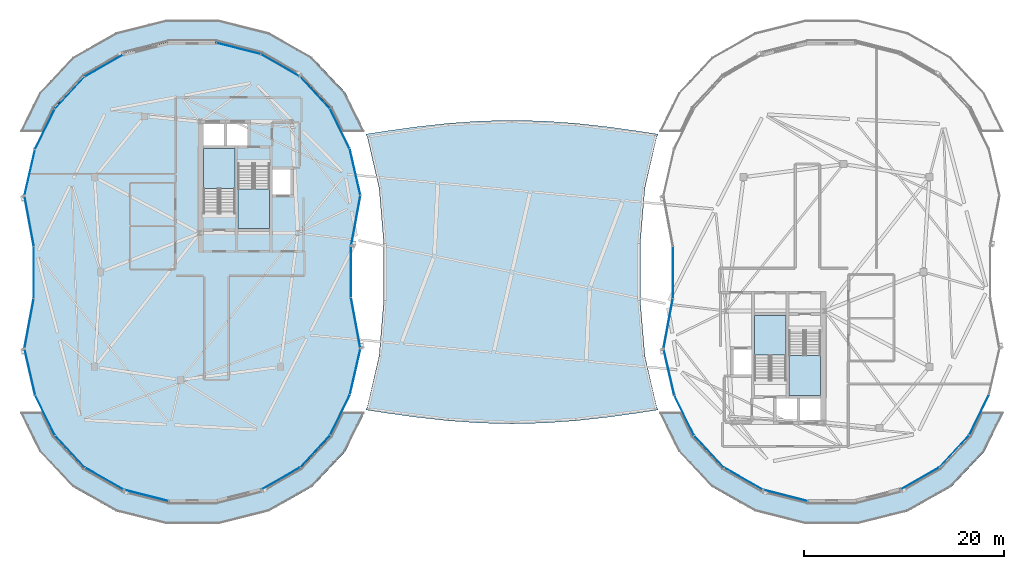
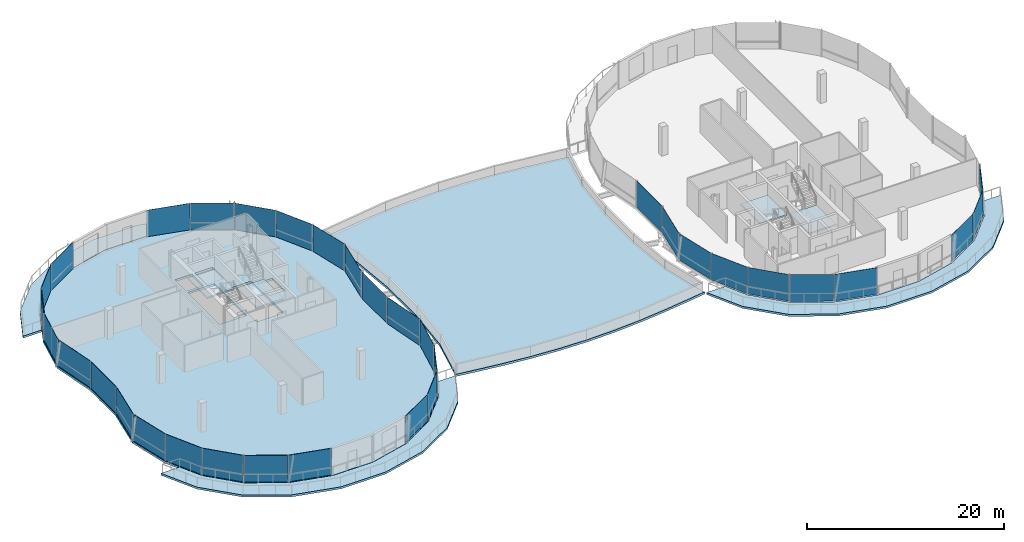
# One storey, part 18 of 31: 34 plates, 9 slabs, 11 elements without a shape of their own.
"""IFC4 building model written with IfcOpenShell, lengths in metres."""

from ifc_helpers import new_model, si_unit, direction, frame, origin, origin_2d, place, context, subcontext, project, spatial, polyline, rectangle, outline, extrude, material, layer, layer_set, type_object, element, aggregate, save


model = new_model("IFC4")

# Units and contexts
model_context = context("Model", 3, precision=1e-05, world=origin(), true_north=direction((0.0, 1.0)))
body_context = subcontext(model_context, "Body", "Model", "MODEL_VIEW")
ifc_project = project(units=[si_unit("LENGTHUNIT", "METRE"), si_unit("AREAUNIT", "SQUARE_METRE"), si_unit("VOLUMEUNIT", "CUBIC_METRE"), si_unit("PLANEANGLEUNIT", "RADIAN"), si_unit("MASSUNIT", "GRAM", prefix="KILO"), si_unit("THERMODYNAMICTEMPERATUREUNIT", "KELVIN"), si_unit("POWERUNIT", "WATT")], contexts=[model_context])

# Site, building, storey
site_placement = place(None, origin())
site = spatial("IfcSite", under=ifc_project, at=site_placement, CompositionType="ELEMENT")
building_placement = place(site_placement, origin())
building = spatial("IfcBuilding", under=site, at=building_placement, Name="Cundina Bronze Exchange", CompositionType="ELEMENT")
storey_placement = place(building_placement, frame((0.0, 0.0, 275.60009765625)))
storey = spatial("IfcBuildingStorey", under=building, at=storey_placement, Name="L73", CompositionType="ELEMENT", Elevation=275.60009765625)

# Curtain wall, plates
ifc_material_1 = material(Name="Anodised Bronze Aluminium 6063-T6", Category="aluminium")
curtain_wall_type = type_object("IfcCurtainWallType", Name="CWS-CRN-TMD", PredefinedType="NOTDEFINED", material=ifc_material_1)
curtain_wall_1_placement = place(storey_placement, origin())
curtain_wall_1 = element("IfcCurtainWall", 1, at=curtain_wall_1_placement, inside=storey, type_object=curtain_wall_type, Name="L73 CW-07 Curtain Wall Run CWR-L73-W1", PredefinedType="NOTDEFINED")
ifc_material_2 = material(Name="Clear Low-E Insulating Glass 26mm", Category="glass")
ifc_layer_1 = layer(ifc_material_2, 0.02587890625, Name="Clear Low-E Insulating Glass 26mm", Category="glass")
ifc_layer_set_1 = layer_set([ifc_layer_1], Name="Clear Low-E Insulating Glass 26mm")
plate_type_1 = type_object("IfcPlateType", Name="PLT-GLZ-CLR26", PredefinedType="CURTAIN_PANEL", material=ifc_layer_set_1)
plate_1_placement = place(storey_placement, frame((-15.643798828125, 5.148193359375, 0.02001953125), z_axis=(0.0, 0.0, 1.0), x_axis=(0.181566202941, 0.983378723559, 0.0)))
plate_1 = element("IfcPlate", 2, at=plate_1_placement, type_object=plate_type_1, Name="CW-07 Glazed Panel 1", PredefinedType="CURTAIN_PANEL", context=body_context, shape_type="SweptSolid", body=[
    extrude(rectangle(XDim=5.0595703125, YDim=0.02587890625, at=origin_2d()), origin(), (0.0, 0.0, 1.0), 3.300048828125),
])
plate_2_placement = place(storey_placement, frame((-17.2373046875, 14.330078125, 0.02001953125), z_axis=(0.0, 0.0, 1.0), x_axis=(-0.439406192137, 0.898288482789, 0.0)))
plate_2 = element("IfcPlate", 3, at=plate_2_placement, type_object=plate_type_1, Name="CW-07 Glazed Panel 3", PredefinedType="CURTAIN_PANEL", context=body_context, shape_type="SweptSolid", body=[
    extrude(rectangle(XDim=4.431884765625, YDim=0.02587890625, at=origin_2d()), origin(), (0.0, 0.0, 1.0), 3.300048828125),
])
plate_3_placement = place(storey_placement, frame((-19.72216796875, 17.956298828125, 0.02001953125), z_axis=(0.0, 0.0, 1.0), x_axis=(-0.681462066612, 0.731853435989, 0.0)))
plate_3 = element("IfcPlate", 4, at=plate_3_placement, type_object=plate_type_1, Name="CW-07 Glazed Panel 4", PredefinedType="CURTAIN_PANEL", context=body_context, shape_type="SweptSolid", body=[
    extrude(rectangle(XDim=4.335693359375, YDim=0.02587890625, at=origin_2d()), origin(), (0.0, 0.0, 1.0), 3.300048828125),
])
plate_4_placement = place(storey_placement, frame((-23.171875, 20.684326171875, 0.02001953125), z_axis=(0.0, 0.0, 1.0), x_axis=(-0.86745302415, 0.497519096008, 0.0)))
plate_4 = element("IfcPlate", 5, at=plate_4_placement, type_object=plate_type_1, Name="CW-07 Glazed Panel 5", PredefinedType="CURTAIN_PANEL", context=body_context, shape_type="SweptSolid", body=[
    extrude(rectangle(XDim=4.4404296875, YDim=0.02587890625, at=origin_2d()), origin(), (0.0, 0.0, 1.0), 3.300048828125),
])
plate_5_placement = place(storey_placement, frame((-27.381103515625, 22.379150390625, 0.02001953125), z_axis=(0.0, 0.0, 1.0), x_axis=(-0.969067441506, 0.246796057127, 0.0)))
plate_5 = element("IfcPlate", 6, at=plate_5_placement, type_object=plate_type_1, Name="CW-07 Glazed Panel 6", PredefinedType="CURTAIN_PANEL", context=body_context, shape_type="SweptSolid", body=[
    extrude(rectangle(XDim=4.593994140625, YDim=0.02587890625, at=origin_2d()), origin(), (0.0, 0.0, 1.0), 3.300048828125),
])

curtain_wall_2_placement = place(storey_placement, origin())
curtain_wall_2 = element("IfcCurtainWall", 7, at=curtain_wall_2_placement, inside=storey, type_object=curtain_wall_type, Name="L73 CW-07 Curtain Wall Run CWR-L73-W2", PredefinedType="NOTDEFINED")
plate_6_placement = place(storey_placement, frame((-44.27783203125, 17.956298828125, 0.02001953125), z_axis=(0.0, 0.0, 1.0), x_axis=(-0.681462066612, -0.731853435989, 0.0)))
plate_6 = element("IfcPlate", 8, at=plate_6_placement, type_object=plate_type_1, Name="CW-07 Glazed Panel 2", PredefinedType="CURTAIN_PANEL", context=body_context, shape_type="SweptSolid", body=[
    extrude(rectangle(XDim=4.335693359375, YDim=0.02587890625, at=origin_2d()), origin(), (0.0, 0.0, 1.0), 3.300048828125),
])
plate_7_placement = place(storey_placement, frame((-46.7626953125, 14.330078125, 0.02001953125), z_axis=(0.0, 0.0, 1.0), x_axis=(-0.439406192137, -0.898288482789, 0.0)))
plate_7 = element("IfcPlate", 9, at=plate_7_placement, type_object=plate_type_1, Name="CW-07 Glazed Panel 3", PredefinedType="CURTAIN_PANEL", context=body_context, shape_type="SweptSolid", body=[
    extrude(rectangle(XDim=4.431884765625, YDim=0.02587890625, at=origin_2d()), origin(), (0.0, 0.0, 1.0), 3.300048828125),
])
plate_8_placement = place(storey_placement, frame((-48.28662109375, 9.97998046875, 0.02001953125), z_axis=(0.0, 0.0, 1.0), x_axis=(-0.224015622728, -0.974585553337, 0.0)))
plate_8 = element("IfcPlate", 10, at=plate_8_placement, type_object=plate_type_1, Name="CW-07 Glazed Panel 4", PredefinedType="CURTAIN_PANEL", context=body_context, shape_type="SweptSolid", body=[
    extrude(rectangle(XDim=4.713134765625, YDim=0.02587890625, at=origin_2d()), origin(), (0.0, 0.0, 1.0), 3.300048828125),
])
plate_9_placement = place(storey_placement, frame((-48.356201171875, 5.148193359375, 0.02001953125), z_axis=(0.0, 0.0, 1.0), x_axis=(0.181566202941, -0.983378723559, 0.0)))
plate_9 = element("IfcPlate", 11, at=plate_9_placement, type_object=plate_type_1, Name="CW-07 Glazed Panel 5", PredefinedType="CURTAIN_PANEL", context=body_context, shape_type="SweptSolid", body=[
    extrude(rectangle(XDim=5.0595703125, YDim=0.02587890625, at=origin_2d()), origin(), (0.0, 0.0, 1.0), 3.300048828125),
])
plate_10_placement = place(storey_placement, frame((-48.356201171875, -5.148193359375, 0.02001953125), z_axis=(0.0, 0.0, 1.0), x_axis=(-0.181566202941, -0.983378723559, 0.0)))
plate_10 = element("IfcPlate", 12, at=plate_10_placement, type_object=plate_type_1, Name="CW-07 Glazed Panel 7", PredefinedType="CURTAIN_PANEL", context=body_context, shape_type="SweptSolid", body=[
    extrude(rectangle(XDim=5.0595703125, YDim=0.02587890625, at=origin_2d()), origin(), (0.0, 0.0, 1.0), 3.300048828125),
])

curtain_wall_3_placement = place(storey_placement, origin())
curtain_wall_3 = element("IfcCurtainWall", 13, at=curtain_wall_3_placement, inside=storey, type_object=curtain_wall_type, Name="L73 CW-07 Curtain Wall Run CWR-L73-W3", PredefinedType="NOTDEFINED")
plate_11_placement = place(storey_placement, frame((-48.28662109375, -9.97998046875, 0.02001953125), z_axis=(0.0, 0.0, 1.0), x_axis=(0.224015622728, -0.974585553337, 0.0)))
plate_11 = element("IfcPlate", 14, at=plate_11_placement, type_object=plate_type_1, Name="CW-07 Glazed Panel 1", PredefinedType="CURTAIN_PANEL", context=body_context, shape_type="SweptSolid", body=[
    extrude(rectangle(XDim=4.713134765625, YDim=0.02587890625, at=origin_2d()), origin(), (0.0, 0.0, 1.0), 3.300048828125),
])
plate_12_placement = place(storey_placement, frame((-46.7626953125, -14.330078125, 0.02001953125), z_axis=(0.0, 0.0, 1.0), x_axis=(0.439406192137, -0.898288482789, 0.0)))
plate_12 = element("IfcPlate", 15, at=plate_12_placement, type_object=plate_type_1, Name="CW-07 Glazed Panel 2", PredefinedType="CURTAIN_PANEL", context=body_context, shape_type="SweptSolid", body=[
    extrude(rectangle(XDim=4.431884765625, YDim=0.02587890625, at=origin_2d()), origin(), (0.0, 0.0, 1.0), 3.300048828125),
])
plate_13_placement = place(storey_placement, frame((-44.27783203125, -17.956298828125, 0.02001953125), z_axis=(0.0, 0.0, 1.0), x_axis=(0.681462066612, -0.731853435989, 0.0)))
plate_13 = element("IfcPlate", 16, at=plate_13_placement, type_object=plate_type_1, Name="CW-07 Glazed Panel 3", PredefinedType="CURTAIN_PANEL", context=body_context, shape_type="SweptSolid", body=[
    extrude(rectangle(XDim=4.335693359375, YDim=0.02587890625, at=origin_2d()), origin(), (0.0, 0.0, 1.0), 3.300048828125),
])
plate_14_placement = place(storey_placement, frame((-40.828125, -20.684326171875, 0.02001953125), z_axis=(0.0, 0.0, 1.0), x_axis=(0.86745302415, -0.497519096008, 0.0)))
plate_14 = element("IfcPlate", 17, at=plate_14_placement, type_object=plate_type_1, Name="CW-07 Glazed Panel 4", PredefinedType="CURTAIN_PANEL", context=body_context, shape_type="SweptSolid", body=[
    extrude(rectangle(XDim=4.4404296875, YDim=0.02587890625, at=origin_2d()), origin(), (0.0, 0.0, 1.0), 3.300048828125),
])

curtain_wall_4_placement = place(storey_placement, origin())
curtain_wall_4 = element("IfcCurtainWall", 18, at=curtain_wall_4_placement, inside=storey, type_object=curtain_wall_type, Name="L73 CW-07 Curtain Wall Run CWR-L73-W4", PredefinedType="NOTDEFINED")
plate_15_placement = place(storey_placement, frame((-23.171875, -20.684326171875, 0.02001953125), z_axis=(0.0, 0.0, 1.0), x_axis=(0.86745302415, 0.497519096008, 0.0)))
plate_15 = element("IfcPlate", 19, at=plate_15_placement, type_object=plate_type_1, Name="CW-07 Glazed Panel 1", PredefinedType="CURTAIN_PANEL", context=body_context, shape_type="SweptSolid", body=[
    extrude(rectangle(XDim=4.4404296875, YDim=0.02587890625, at=origin_2d()), origin(), (0.0, 0.0, 1.0), 3.300048828125),
])
plate_16_placement = place(storey_placement, frame((-19.72216796875, -17.956298828125, 0.02001953125), z_axis=(0.0, 0.0, 1.0), x_axis=(0.681462066612, 0.731853435989, 0.0)))
plate_16 = element("IfcPlate", 20, at=plate_16_placement, type_object=plate_type_1, Name="CW-07 Glazed Panel 2", PredefinedType="CURTAIN_PANEL", context=body_context, shape_type="SweptSolid", body=[
    extrude(rectangle(XDim=4.335693359375, YDim=0.02587890625, at=origin_2d()), origin(), (0.0, 0.0, 1.0), 3.300048828125),
])
plate_17_placement = place(storey_placement, frame((-17.2373046875, -14.330078125, 0.02001953125), z_axis=(0.0, 0.0, 1.0), x_axis=(0.439406192137, 0.898288482789, 0.0)))
plate_17 = element("IfcPlate", 21, at=plate_17_placement, type_object=plate_type_1, Name="CW-07 Glazed Panel 3", PredefinedType="CURTAIN_PANEL", context=body_context, shape_type="SweptSolid", body=[
    extrude(rectangle(XDim=4.431884765625, YDim=0.02587890625, at=origin_2d()), origin(), (0.0, 0.0, 1.0), 3.300048828125),
])
plate_18_placement = place(storey_placement, frame((-15.643798828125, -5.148193359375, 0.02001953125), z_axis=(0.0, 0.0, 1.0), x_axis=(-0.181566202941, 0.983378723559, 0.0)))
plate_18 = element("IfcPlate", 22, at=plate_18_placement, type_object=plate_type_1, Name="CW-07 Glazed Panel 5", PredefinedType="CURTAIN_PANEL", context=body_context, shape_type="SweptSolid", body=[
    extrude(rectangle(XDim=5.0595703125, YDim=0.02587890625, at=origin_2d()), origin(), (0.0, 0.0, 1.0), 3.300048828125),
])
plate_19_placement = place(storey_placement, frame((-16.113037109375, 0.0, 0.02001953125), z_axis=(0.0, 0.0, 1.0), x_axis=(0.0, 1.0, 0.0)))
plate_19 = element("IfcPlate", 23, at=plate_19_placement, type_object=plate_type_1, Name="CW-07 Glazed Panel 6", PredefinedType="CURTAIN_PANEL", context=body_context, shape_type="SweptSolid", body=[
    extrude(rectangle(XDim=5.10595703125, YDim=0.02587890625, at=origin_2d()), origin(), (0.0, 0.0, 1.0), 3.300048828125),
])

# Curtain wall, plate
curtain_wall_5_placement = place(storey_placement, origin())
curtain_wall_5 = element("IfcCurtainWall", 24, at=curtain_wall_5_placement, inside=storey, type_object=curtain_wall_type, Name="L73 CW-07 Curtain Wall Run CWR-L73-E2", PredefinedType="NOTDEFINED")
plate_20_placement = place(storey_placement, frame((15.643798828125, -5.148193359375, 0.02001953125), z_axis=(0.0, 0.0, 1.0), x_axis=(-0.181566202941, -0.983378723559, 0.0)))
plate_20 = element("IfcPlate", 25, at=plate_20_placement, type_object=plate_type_1, Name="CW-07 Glazed Panel 7", PredefinedType="CURTAIN_PANEL", context=body_context, shape_type="SweptSolid", body=[
    extrude(rectangle(XDim=5.0595703125, YDim=0.02587890625, at=origin_2d()), origin(), (0.0, 0.0, 1.0), 3.300048828125),
])

# Curtain wall, plates
curtain_wall_6_placement = place(storey_placement, origin())
curtain_wall_6 = element("IfcCurtainWall", 26, at=curtain_wall_6_placement, inside=storey, type_object=curtain_wall_type, Name="L73 CW-07 Curtain Wall Run CWR-L73-E3", PredefinedType="NOTDEFINED")
plate_21_placement = place(storey_placement, frame((15.71337890625, -9.97998046875, 0.02001953125), z_axis=(0.0, 0.0, 1.0), x_axis=(0.224015622728, -0.974585553337, 0.0)))
plate_21 = element("IfcPlate", 27, at=plate_21_placement, type_object=plate_type_1, Name="CW-07 Glazed Panel 1", PredefinedType="CURTAIN_PANEL", context=body_context, shape_type="SweptSolid", body=[
    extrude(rectangle(XDim=4.713134765625, YDim=0.02587890625, at=origin_2d()), origin(), (0.0, 0.0, 1.0), 3.300048828125),
])
plate_22_placement = place(storey_placement, frame((17.2373046875, -14.330078125, 0.02001953125), z_axis=(0.0, 0.0, 1.0), x_axis=(0.439406192137, -0.898288482789, 0.0)))
plate_22 = element("IfcPlate", 28, at=plate_22_placement, type_object=plate_type_1, Name="CW-07 Glazed Panel 2", PredefinedType="CURTAIN_PANEL", context=body_context, shape_type="SweptSolid", body=[
    extrude(rectangle(XDim=4.431884765625, YDim=0.02587890625, at=origin_2d()), origin(), (0.0, 0.0, 1.0), 3.300048828125),
])
plate_23_placement = place(storey_placement, frame((19.72216796875, -17.956298828125, 0.02001953125), z_axis=(0.0, 0.0, 1.0), x_axis=(0.681462066612, -0.731853435989, 0.0)))
plate_23 = element("IfcPlate", 29, at=plate_23_placement, type_object=plate_type_1, Name="CW-07 Glazed Panel 3", PredefinedType="CURTAIN_PANEL", context=body_context, shape_type="SweptSolid", body=[
    extrude(rectangle(XDim=4.335693359375, YDim=0.02587890625, at=origin_2d()), origin(), (0.0, 0.0, 1.0), 3.300048828125),
])
plate_24_placement = place(storey_placement, frame((23.171875, -20.684326171875, 0.02001953125), z_axis=(0.0, 0.0, 1.0), x_axis=(0.86745302415, -0.497519096008, 0.0)))
plate_24 = element("IfcPlate", 30, at=plate_24_placement, type_object=plate_type_1, Name="CW-07 Glazed Panel 4", PredefinedType="CURTAIN_PANEL", context=body_context, shape_type="SweptSolid", body=[
    extrude(rectangle(XDim=4.4404296875, YDim=0.02587890625, at=origin_2d()), origin(), (0.0, 0.0, 1.0), 3.300048828125),
])

curtain_wall_7_placement = place(storey_placement, origin())
curtain_wall_7 = element("IfcCurtainWall", 31, at=curtain_wall_7_placement, inside=storey, type_object=curtain_wall_type, Name="L73 CW-07 Curtain Wall Run CWR-L73-E4", PredefinedType="NOTDEFINED")
plate_25_placement = place(storey_placement, frame((40.828125, -20.684326171875, 0.02001953125), z_axis=(0.0, 0.0, 1.0), x_axis=(0.86745302415, 0.497519096008, 0.0)))
plate_25 = element("IfcPlate", 32, at=plate_25_placement, type_object=plate_type_1, Name="CW-07 Glazed Panel 1", PredefinedType="CURTAIN_PANEL", context=body_context, shape_type="SweptSolid", body=[
    extrude(rectangle(XDim=4.4404296875, YDim=0.02587890625, at=origin_2d()), origin(), (0.0, 0.0, 1.0), 3.300048828125),
])
plate_26_placement = place(storey_placement, frame((44.27783203125, -17.956298828125, 0.02001953125), z_axis=(0.0, 0.0, 1.0), x_axis=(0.681462066612, 0.731853435989, 0.0)))
plate_26 = element("IfcPlate", 33, at=plate_26_placement, type_object=plate_type_1, Name="CW-07 Glazed Panel 2", PredefinedType="CURTAIN_PANEL", context=body_context, shape_type="SweptSolid", body=[
    extrude(rectangle(XDim=4.335693359375, YDim=0.02587890625, at=origin_2d()), origin(), (0.0, 0.0, 1.0), 3.300048828125),
])
plate_27_placement = place(storey_placement, frame((46.7626953125, -14.330078125, 0.02001953125), z_axis=(0.0, 0.0, 1.0), x_axis=(0.439406192137, 0.898288482789, 0.0)))
plate_27 = element("IfcPlate", 34, at=plate_27_placement, type_object=plate_type_1, Name="CW-07 Glazed Panel 3", PredefinedType="CURTAIN_PANEL", context=body_context, shape_type="SweptSolid", body=[
    extrude(rectangle(XDim=4.431884765625, YDim=0.02587890625, at=origin_2d()), origin(), (0.0, 0.0, 1.0), 3.300048828125),
])
aggregate(curtain_wall_7, [plate_25, plate_26, plate_27])

# Plate
ifc_material_3 = material(Name="Dark Bronze Spandrel Glass Panel 32mm", Category="glass")
ifc_layer_2 = layer(ifc_material_3, 0.031982421875, Name="Dark Bronze Spandrel Glass Panel 32mm", Category="glass")
ifc_layer_set_2 = layer_set([ifc_layer_2], Name="Dark Bronze Spandrel Glass Panel 32mm")
plate_type_2 = type_object("IfcPlateType", Name="PLT-SPN-BRZ32", PredefinedType="CURTAIN_PANEL", material=ifc_layer_set_2)
plate_28_placement = place(storey_placement, frame((-15.71337890625, 9.97998046875, 0.02001953125), z_axis=(0.0, 0.0, 1.0), x_axis=(-0.224015622728, 0.974585553337, 0.0)))
plate_28 = element("IfcPlate", 35, at=plate_28_placement, type_object=plate_type_2, Name="CW-07 Glazed Panel 2", PredefinedType="CURTAIN_PANEL", context=body_context, shape_type="SweptSolid", body=[
    extrude(rectangle(XDim=4.713134765625, YDim=0.031982421875, at=origin_2d()), origin(), (0.0, 0.0, 1.0), 3.300048828125),
])

aggregate(curtain_wall_1, [plate_1, plate_28, plate_2, plate_3, plate_4, plate_5])

plate_29_placement = place(storey_placement, frame((-40.828125, 20.684326171875, 0.02001953125), z_axis=(0.0, 0.0, 1.0), x_axis=(-0.86745302415, -0.497519096008, 0.0)))
plate_29 = element("IfcPlate", 36, at=plate_29_placement, type_object=plate_type_2, Name="CW-07 Glazed Panel 1", PredefinedType="CURTAIN_PANEL", context=body_context, shape_type="SweptSolid", body=[
    extrude(rectangle(XDim=4.4404296875, YDim=0.031982421875, at=origin_2d()), origin(), (0.0, 0.0, 1.0), 3.300048828125),
])

plate_30_placement = place(storey_placement, frame((-47.886962890625, 0.0, 0.02001953125), z_axis=(0.0, 0.0, 1.0), x_axis=(0.0, -1.0, 0.0)))
plate_30 = element("IfcPlate", 37, at=plate_30_placement, type_object=plate_type_2, Name="CW-07 Glazed Panel 6", PredefinedType="CURTAIN_PANEL", context=body_context, shape_type="SweptSolid", body=[
    extrude(rectangle(XDim=5.10595703125, YDim=0.031982421875, at=origin_2d()), origin(), (0.0, 0.0, 1.0), 3.300048828125),
])

aggregate(curtain_wall_2, [plate_29, plate_6, plate_7, plate_8, plate_9, plate_30, plate_10])

plate_31_placement = place(storey_placement, frame((-36.618896484375, -22.379150390625, 0.02001953125), z_axis=(0.0, 0.0, 1.0), x_axis=(0.969067441506, -0.246796057127, 0.0)))
plate_31 = element("IfcPlate", 38, at=plate_31_placement, type_object=plate_type_2, Name="CW-07 Glazed Panel 5", PredefinedType="CURTAIN_PANEL", context=body_context, shape_type="SweptSolid", body=[
    extrude(rectangle(XDim=4.593994140625, YDim=0.031982421875, at=origin_2d()), origin(), (0.0, 0.0, 1.0), 3.300048828125),
])

aggregate(curtain_wall_3, [plate_11, plate_12, plate_13, plate_14, plate_31])

plate_32_placement = place(storey_placement, frame((-15.71337890625, -9.97998046875, 0.02001953125), z_axis=(0.0, 0.0, 1.0), x_axis=(0.224015622728, 0.974585553337, 0.0)))
plate_32 = element("IfcPlate", 39, at=plate_32_placement, type_object=plate_type_2, Name="CW-07 Glazed Panel 4", PredefinedType="CURTAIN_PANEL", context=body_context, shape_type="SweptSolid", body=[
    extrude(rectangle(XDim=4.713134765625, YDim=0.031982421875, at=origin_2d()), origin(), (0.0, 0.0, 1.0), 3.300048828125),
])

aggregate(curtain_wall_4, [plate_15, plate_16, plate_17, plate_32, plate_18, plate_19])

plate_33_placement = place(storey_placement, frame((16.113037109375, 0.0, 0.02001953125), z_axis=(0.0, 0.0, 1.0), x_axis=(0.0, -1.0, 0.0)))
plate_33 = element("IfcPlate", 40, at=plate_33_placement, type_object=plate_type_2, Name="CW-07 Glazed Panel 6", PredefinedType="CURTAIN_PANEL", context=body_context, shape_type="SweptSolid", body=[
    extrude(rectangle(XDim=5.10595703125, YDim=0.031982421875, at=origin_2d()), origin(), (0.0, 0.0, 1.0), 3.300048828125),
])

aggregate(curtain_wall_5, [plate_33, plate_20])

plate_34_placement = place(storey_placement, frame((27.381103515625, -22.379150390625, 0.02001953125), z_axis=(0.0, 0.0, 1.0), x_axis=(0.969067441506, -0.246796057127, 0.0)))
plate_34 = element("IfcPlate", 41, at=plate_34_placement, type_object=plate_type_2, Name="CW-07 Glazed Panel 5", PredefinedType="CURTAIN_PANEL", context=body_context, shape_type="SweptSolid", body=[
    extrude(rectangle(XDim=4.593994140625, YDim=0.031982421875, at=origin_2d()), origin(), (0.0, 0.0, 1.0), 3.300048828125),
])

aggregate(curtain_wall_6, [plate_21, plate_22, plate_23, plate_24, plate_34])

# Stair, slab
ifc_material_4 = material(Name="Concrete C40/50", Category="concrete")
stair_type = type_object("IfcStairType", Name="STR-OFF-360", PredefinedType="HALF_TURN_STAIR", material=ifc_material_4)
stair_1_placement = place(storey_placement, origin())
stair_1 = element("IfcStair", 42, at=stair_1_placement, inside=storey, type_object=stair_type, Name="L73 Smokeproof Exit Stair W1", PredefinedType="HALF_TURN_STAIR")
ifc_layer_3 = layer(ifc_material_4, 0.199951171875, Name="Concrete C40/50", Category="concrete")
ifc_layer_set_3 = layer_set([ifc_layer_3], Name="Concrete C40/50")
slab_type_1 = type_object("IfcSlabType", Name="SLB-LND-200", PredefinedType="LANDING", material=ifc_layer_set_3)
slab_1_placement = place(storey_placement, frame((0.0, 0.0, 1.599853515625)))
slab_1 = element("IfcSlab", 43, at=slab_1_placement, type_object=slab_type_1, Name="ST-W1 landing 1", PredefinedType="LANDING", context=body_context, shape_type="SweptSolid", body=[
    extrude(outline(polyline([(-27.739990234375, 8.3701171875), (-27.739990234375, 12.35009765625), (-30.89990234375, 12.35009765625), (-30.89990234375, 8.3701171875), (-27.739990234375, 8.3701171875)])), origin(), (0.0, 0.0, 1.0), 0.199951171875),
])
aggregate(stair_1, [slab_1])

stair_2_placement = place(storey_placement, origin())
stair_2 = element("IfcStair", 44, at=stair_2_placement, inside=storey, type_object=stair_type, Name="L73 Smokeproof Exit Stair W2", PredefinedType="HALF_TURN_STAIR")
slab_2_placement = place(storey_placement, frame((0.0, 0.0, 1.599853515625)))
slab_2 = element("IfcSlab", 45, at=slab_2_placement, type_object=slab_type_1, Name="ST-W2 landing 1", PredefinedType="LANDING", context=body_context, shape_type="SweptSolid", body=[
    extrude(outline(polyline([(-27.43994140625, 8.330078125), (-27.43994140625, 4.35009765625), (-24.280029296875, 4.35009765625), (-24.280029296875, 8.330078125), (-27.43994140625, 8.330078125)])), origin(), (0.0, 0.0, 1.0), 0.199951171875),
])
aggregate(stair_2, [slab_2])

stair_3_placement = place(storey_placement, origin())
stair_3 = element("IfcStair", 46, at=stair_3_placement, inside=storey, type_object=stair_type, Name="L73 Smokeproof Exit Stair E1", PredefinedType="HALF_TURN_STAIR")
slab_3_placement = place(storey_placement, frame((0.0, 0.0, 1.599853515625)))
slab_3 = element("IfcSlab", 47, at=slab_3_placement, type_object=slab_type_1, Name="ST-E1 landing 1", PredefinedType="LANDING", context=body_context, shape_type="SweptSolid", body=[
    extrude(outline(polyline([(27.739990234375, -8.3701171875), (27.739990234375, -12.35009765625), (30.89990234375, -12.35009765625), (30.89990234375, -8.3701171875), (27.739990234375, -8.3701171875)])), origin(), (0.0, 0.0, 1.0), 0.199951171875),
])
aggregate(stair_3, [slab_3])

stair_4_placement = place(storey_placement, origin())
stair_4 = element("IfcStair", 48, at=stair_4_placement, inside=storey, type_object=stair_type, Name="L73 Smokeproof Exit Stair E2", PredefinedType="HALF_TURN_STAIR")
slab_4_placement = place(storey_placement, frame((0.0, 0.0, 1.599853515625)))
slab_4 = element("IfcSlab", 49, at=slab_4_placement, type_object=slab_type_1, Name="ST-E2 landing 1", PredefinedType="LANDING", context=body_context, shape_type="SweptSolid", body=[
    extrude(outline(polyline([(27.43994140625, -8.330078125), (27.43994140625, -4.35009765625), (24.280029296875, -4.35009765625), (24.280029296875, -8.330078125), (27.43994140625, -8.330078125)])), origin(), (0.0, 0.0, 1.0), 0.199951171875),
])
aggregate(stair_4, [slab_4])

# Slabs
ifc_material_5 = material(Name="Concrete C50/60", Category="concrete")
ifc_layer_4 = layer(ifc_material_5, 0.260009765625, Name="Concrete C50/60", Category="concrete")
ifc_layer_set_4 = layer_set([ifc_layer_4], Name="Concrete C50/60")
slab_type_2 = type_object("IfcSlabType", Name="SLB-OFF-260", PredefinedType="FLOOR", material=ifc_layer_set_4)
slab_5_placement = place(storey_placement, frame((0.0, 0.0, -0.260009765625)))
element("IfcSlab", 50, at=slab_5_placement, inside=storey, type_object=slab_type_2, Name="L73 Leg W Structural Floor Slab", PredefinedType="FLOOR", context=body_context, shape_type="SweptSolid", body=[
    extrude(outline(polyline([(-16.012939453125, 2.597900390625), (-15.077880859375, 7.662109375), (-16.154052734375, 12.343017578125), (-18.14111328125, 16.405029296875), (-21.156982421875, 19.64404296875), (-25.0869140625, 21.89794921875), (-29.6259765625, 23.053955078125), (-34.3740234375, 23.053955078125), (-38.9130859375, 21.89794921875), (-42.843017578125, 19.64404296875), (-45.85888671875, 16.405029296875), (-47.845947265625, 12.343017578125), (-48.922119140625, 7.662109375), (-47.987060546875, 2.597900390625), (-47.987060546875, -2.597900390625), (-48.922119140625, -7.662109375), (-47.845947265625, -12.343017578125), (-45.85888671875, -16.405029296875), (-42.843017578125, -19.64404296875), (-38.9130859375, -21.89794921875), (-34.3740234375, -23.053955078125), (-29.6259765625, -23.053955078125), (-25.0869140625, -21.89794921875), (-21.156982421875, -19.64404296875), (-18.14111328125, -16.405029296875), (-16.154052734375, -12.343017578125), (-15.077880859375, -7.662109375), (-16.012939453125, -2.597900390625), (-16.012939453125, 2.597900390625)]), holes=[polyline([(-27.739990234375, 5.85009765625), (-27.739990234375, 12.35009765625), (-30.89990234375, 12.35009765625), (-30.89990234375, 5.85009765625), (-27.739990234375, 5.85009765625)]), polyline([(-27.43994140625, 10.85009765625), (-27.43994140625, 4.35009765625), (-24.280029296875, 4.35009765625), (-24.280029296875, 10.85009765625), (-27.43994140625, 10.85009765625)]), polyline([(-23.97998046875, 10.25), (-22.179931640625, 10.25), (-22.179931640625, 7.75), (-23.97998046875, 7.75), (-23.97998046875, 10.25)]), polyline([(-30.89990234375, 14.949951171875), (-28.85009765625, 14.949951171875), (-28.85009765625, 12.64990234375), (-30.89990234375, 12.64990234375), (-30.89990234375, 14.949951171875)]), polyline([(-28.550048828125, 14.949951171875), (-26.5, 14.949951171875), (-26.5, 12.64990234375), (-28.550048828125, 12.64990234375), (-28.550048828125, 14.949951171875)])]), origin(), (0.0, 0.0, 1.0), 0.260009765625),
])
ifc_layer_5 = layer(ifc_material_5, 0.27001953125, Name="Concrete C50/60", Category="concrete")
ifc_layer_set_5 = layer_set([ifc_layer_5], Name="Concrete C50/60")
slab_type_3 = type_object("IfcSlabType", Name="SLB-ROOF-270", PredefinedType="ROOF", material=ifc_layer_set_5)
slab_6_placement = place(storey_placement, frame((0.0, 0.0, -0.27001953125)))
element("IfcSlab", 51, at=slab_6_placement, inside=storey, type_object=slab_type_3, Name="L73 Sky-Gate Bridge Roof Slab", PredefinedType="ROOF", context=body_context, shape_type="SweptSolid", body=[
    extrude(outline(polyline([(12.800048828125, -14.093994140625), (9.60009765625, -14.5400390625), (6.39990234375, -14.89404296875), (3.199951171875, -15.1220703125), (0.0, -15.199951171875), (-3.199951171875, -15.1220703125), (-6.39990234375, -14.89404296875), (-9.60009765625, -14.5400390625), (-12.800048828125, -14.093994140625), (-14.634033203125, -13.81103515625), (-14.489013671875, -13.514892578125), (-14.489013671875, -13.514892578125), (-14.489013671875, -13.513916015625), (-13.31494140625, -8.388916015625), (-13.31494140625, -8.388916015625), (-12.84912109375, -2.843994140625), (-12.84912109375, -2.843994140625), (-12.84912109375, 2.843994140625), (-12.84912109375, 2.843994140625), (-13.31494140625, 8.388916015625), (-13.31494140625, 8.388916015625), (-14.489013671875, 13.513916015625), (-14.489013671875, 13.514892578125), (-14.489013671875, 13.514892578125), (-14.634033203125, 13.81103515625), (-12.800048828125, 14.093994140625), (-9.60009765625, 14.5400390625), (-6.39990234375, 14.89404296875), (-3.199951171875, 15.1220703125), (0.0, 15.199951171875), (3.199951171875, 15.1220703125), (6.39990234375, 14.89404296875), (9.60009765625, 14.5400390625), (12.800048828125, 14.093994140625), (14.634033203125, 13.81103515625), (14.489013671875, 13.514892578125), (14.489013671875, 13.514892578125), (14.489013671875, 13.513916015625), (13.31494140625, 8.388916015625), (13.31494140625, 8.388916015625), (12.84912109375, 2.843994140625), (12.84912109375, 2.843994140625), (12.84912109375, -2.843994140625), (12.84912109375, -2.843994140625), (13.31494140625, -8.388916015625), (13.31494140625, -8.388916015625), (14.489013671875, -13.513916015625), (14.489013671875, -13.514892578125), (14.489013671875, -13.514892578125), (14.634033203125, -13.81103515625), (12.800048828125, -14.093994140625)])), origin(), (0.0, 0.0, 1.0), 0.27001953125),
])
ifc_layer_6 = layer(ifc_material_4, 0.25, Name="Concrete C40/50", Category="concrete")
ifc_layer_set_6 = layer_set([ifc_layer_6], Name="Concrete C40/50")
slab_type_4 = type_object("IfcSlabType", Name="SLB-TER-250", PredefinedType="FLOOR", material=ifc_layer_set_6)
slab_7_placement = place(storey_placement, frame((0.0, 0.0, -0.25)))
element("IfcSlab", 52, at=slab_7_placement, inside=storey, type_object=slab_type_4, Name="L73 Leg W N Planted Crown Terrace Slab", PredefinedType="FLOOR", context=body_context, shape_type="SweptSolid", body=[
    extrude(outline(polyline([(-47.326904296875, 17.9609375), (-43.9990234375, 21.507080078125), (-39.653076171875, 23.97509765625), (-34.62890625, 25.239990234375), (-29.37109375, 25.239990234375), (-24.346923828125, 23.97509765625), (-20.0009765625, 21.507080078125), (-16.673095703125, 17.9609375), (-14.7294921875, 14.0), (-16.947998046875, 14.0), (-18.12744140625, 16.41162109375), (-18.128173828125, 16.412841796875), (-18.129150390625, 16.4140625), (-18.1298828125, 16.415283203125), (-21.14599609375, 19.654296875), (-21.147216796875, 19.6552734375), (-21.148193359375, 19.65625), (-21.1494140625, 19.656982421875), (-25.07958984375, 21.910888671875), (-25.080810546875, 21.91162109375), (-25.08203125, 21.912109375), (-25.083251953125, 21.91259765625), (-29.622314453125, 23.068603515625), (-29.62353515625, 23.06884765625), (-29.624755859375, 23.06884765625), (-29.6259765625, 23.069091796875), (-34.3740234375, 23.069091796875), (-34.375244140625, 23.06884765625), (-34.37646484375, 23.06884765625), (-34.377685546875, 23.068603515625), (-38.916748046875, 21.91259765625), (-38.91796875, 21.912109375), (-38.919189453125, 21.91162109375), (-38.92041015625, 21.910888671875), (-42.8505859375, 19.656982421875), (-42.851806640625, 19.65625), (-42.852783203125, 19.6552734375), (-42.85400390625, 19.654296875), (-45.8701171875, 16.415283203125), (-45.870849609375, 16.4140625), (-45.871826171875, 16.412841796875), (-45.87255859375, 16.41162109375), (-47.052001953125, 14.0), (-49.2705078125, 14.0), (-47.326904296875, 17.9609375)])), origin(), (0.0, 0.0, 1.0), 0.25),
])
slab_8_placement = place(storey_placement, frame((0.0, 0.0, -0.25)))
element("IfcSlab", 53, at=slab_8_placement, inside=storey, type_object=slab_type_4, Name="L73 Leg W S Planted Crown Terrace Slab", PredefinedType="FLOOR", context=body_context, shape_type="SweptSolid", body=[
    extrude(outline(polyline([(-16.673095703125, -17.9609375), (-20.0009765625, -21.507080078125), (-24.346923828125, -23.97509765625), (-29.37109375, -25.239990234375), (-34.62890625, -25.239990234375), (-39.653076171875, -23.97509765625), (-43.9990234375, -21.507080078125), (-47.326904296875, -17.9609375), (-49.2705078125, -14.0), (-47.052001953125, -14.0), (-45.87255859375, -16.41162109375), (-45.871826171875, -16.412841796875), (-45.870849609375, -16.4140625), (-45.8701171875, -16.415283203125), (-42.85400390625, -19.654296875), (-42.852783203125, -19.6552734375), (-42.851806640625, -19.65625), (-42.8505859375, -19.656982421875), (-38.92041015625, -21.910888671875), (-38.919189453125, -21.91162109375), (-38.91796875, -21.912109375), (-38.916748046875, -21.91259765625), (-34.377685546875, -23.068603515625), (-34.37646484375, -23.06884765625), (-34.375244140625, -23.06884765625), (-34.3740234375, -23.069091796875), (-29.6259765625, -23.069091796875), (-29.624755859375, -23.06884765625), (-29.62353515625, -23.06884765625), (-29.622314453125, -23.068603515625), (-25.083251953125, -21.91259765625), (-25.08203125, -21.912109375), (-25.080810546875, -21.91162109375), (-25.07958984375, -21.910888671875), (-21.1494140625, -19.656982421875), (-21.148193359375, -19.65625), (-21.147216796875, -19.6552734375), (-21.14599609375, -19.654296875), (-18.1298828125, -16.415283203125), (-18.129150390625, -16.4140625), (-18.128173828125, -16.412841796875), (-18.12744140625, -16.41162109375), (-16.947998046875, -14.0), (-14.7294921875, -14.0), (-16.673095703125, -17.9609375)])), origin(), (0.0, 0.0, 1.0), 0.25),
])
slab_9_placement = place(storey_placement, frame((0.0, 0.0, -0.25)))
element("IfcSlab", 54, at=slab_9_placement, inside=storey, type_object=slab_type_4, Name="L73 Leg E S Planted Crown Terrace Slab", PredefinedType="FLOOR", context=body_context, shape_type="SweptSolid", body=[
    extrude(outline(polyline([(47.326904296875, -17.9609375), (43.9990234375, -21.507080078125), (39.653076171875, -23.97509765625), (34.62890625, -25.239990234375), (29.37109375, -25.239990234375), (24.346923828125, -23.97509765625), (20.0009765625, -21.507080078125), (16.673095703125, -17.9609375), (14.7294921875, -14.0), (16.947998046875, -14.0), (18.12744140625, -16.41162109375), (18.128173828125, -16.412841796875), (18.129150390625, -16.4140625), (18.1298828125, -16.415283203125), (21.14599609375, -19.654296875), (21.147216796875, -19.6552734375), (21.148193359375, -19.65625), (21.1494140625, -19.656982421875), (25.07958984375, -21.910888671875), (25.080810546875, -21.91162109375), (25.08203125, -21.912109375), (25.083251953125, -21.91259765625), (29.622314453125, -23.068603515625), (29.62353515625, -23.06884765625), (29.624755859375, -23.06884765625), (29.6259765625, -23.069091796875), (34.3740234375, -23.069091796875), (34.375244140625, -23.06884765625), (34.37646484375, -23.06884765625), (34.377685546875, -23.068603515625), (38.916748046875, -21.91259765625), (38.91796875, -21.912109375), (38.919189453125, -21.91162109375), (38.92041015625, -21.910888671875), (42.8505859375, -19.656982421875), (42.851806640625, -19.65625), (42.852783203125, -19.6552734375), (42.85400390625, -19.654296875), (45.8701171875, -16.415283203125), (45.870849609375, -16.4140625), (45.871826171875, -16.412841796875), (45.87255859375, -16.41162109375), (47.052001953125, -14.0), (49.2705078125, -14.0), (47.326904296875, -17.9609375)])), origin(), (0.0, 0.0, 1.0), 0.25),
])

save(model, "model.ifc")
